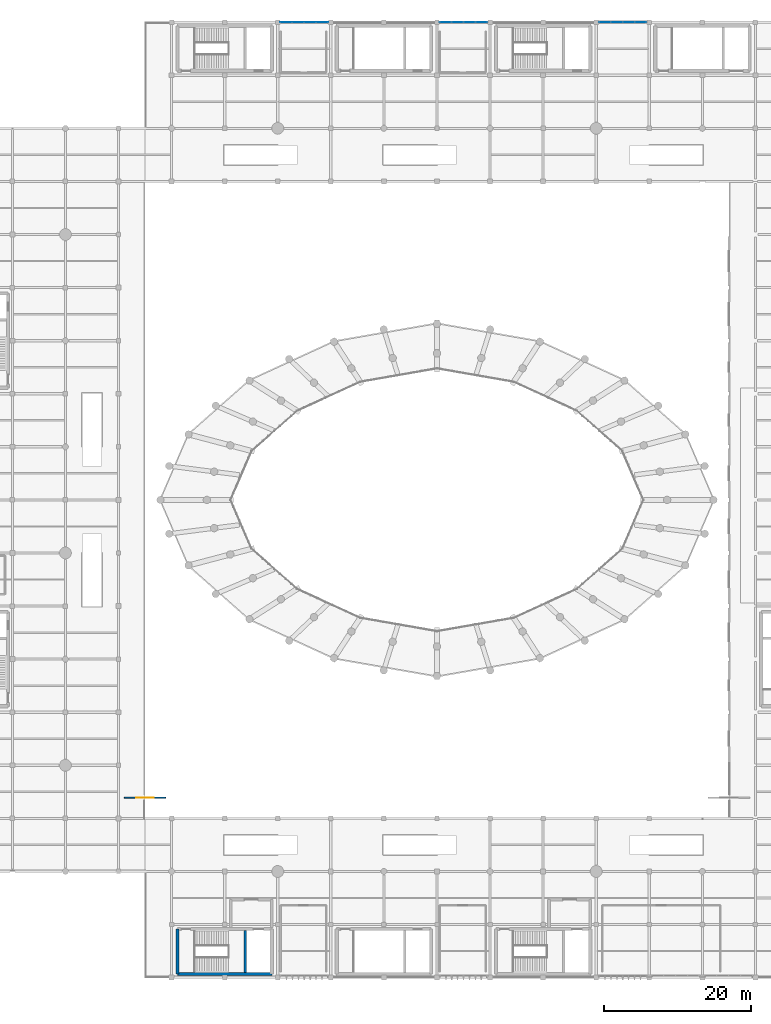
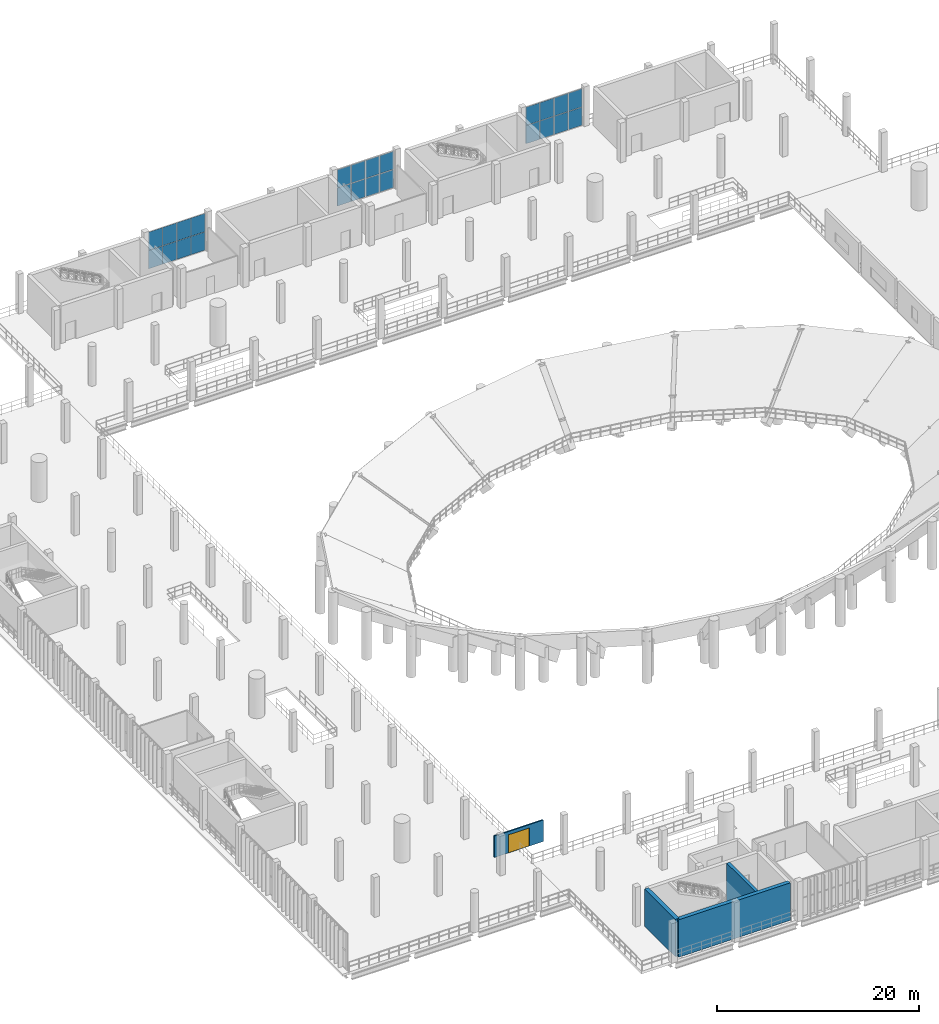
# One storey, part 82 of 105: 24 plates, 4 walls, 1 door, 1 opening, 3 elements without a shape of their own.
"""IFC4 building model written with IfcOpenShell, lengths in metres."""

import ifcopenshell
import ifcopenshell.guid

model = None  # the IFC model being written
_history = None  # IfcOwnerHistory: only IFC2X3 demands one
_inside = {}  # id of a spatial element -> (the spatial element, [elements in it])
_under = {}  # id of a project, library or spatial element -> (it, [spatial elements below it])
_declared = {}  # id of a project -> (the project, [libraries it declares])
_typed = {}  # id of a type object -> (the type object, [elements of that type])
_made_of = {}  # id of a material, layer set ... -> (it, [elements and type objects made of it])


def new_model(schema):
    """Start an empty IFC model of exactly this schema.

    Asked for "IFC4X3", IfcOpenShell would pick the latest addendum, in which some entities
    have other attributes; the version numbers below select the first issue.
    IFC2X3 requires an IfcOwnerHistory on every rooted entity: one is made here for all.
    """
    global model, _history
    if schema == "IFC4X3":
        model = ifcopenshell.file(schema_version=(4, 3, 0, 0))
    else:
        model = ifcopenshell.file(schema=schema)
    _inside.clear()
    _under.clear()
    _declared.clear()
    _typed.clear()
    _made_of.clear()
    _history = None
    if model.schema == "IFC2X3":
        org = make("IfcOrganization", Name="unknown")
        user = make(
            "IfcPersonAndOrganization",
            ThePerson=make("IfcPerson", FamilyName="unknown"),
            TheOrganization=org,
        )
        app = make(
            "IfcApplication",
            ApplicationDeveloper=org,
            Version="unknown",
            ApplicationFullName="unknown",
            ApplicationIdentifier="unknown",
        )
        _history = make(
            "IfcOwnerHistory",
            OwningUser=user,
            OwningApplication=app,
            ChangeAction="ADDED",
            CreationDate=0,
        )
    return model


def make(cls, **values):
    """One entity of the class cls with the attributes given. An attribute that is None is left unset."""
    return model.create_entity(
        cls, **{name: value for name, value in values.items() if value is not None}
    )


def rooted(cls, **values):
    """An entity with a GlobalId (a new one), such as an element, a storey or a relation."""
    return make(cls, GlobalId=ifcopenshell.guid.new(), OwnerHistory=_history, **values)


def si_unit(unit_type, name, prefix=None):
    """IfcSIUnit, for example si_unit("LENGTHUNIT", "METRE", prefix="MILLI")."""
    return make("IfcSIUnit", UnitType=unit_type, Prefix=prefix, Name=name)


def assignment(units):
    """IfcUnitAssignment: the units of a project."""
    return None if units is None else make("IfcUnitAssignment", Units=units)


def point(xyz):
    """IfcCartesianPoint."""
    return None if xyz is None else make("IfcCartesianPoint", Coordinates=xyz)


def direction(xyz):
    """IfcDirection."""
    return None if xyz is None else make("IfcDirection", DirectionRatios=xyz)


def frame(location, z_axis=None, x_axis=None):
    """IfcAxis2Placement3D, a coordinate frame: its origin and axes. An axis left out is left unset."""
    return make(
        "IfcAxis2Placement3D",
        Location=point(location),
        Axis=direction(z_axis),
        RefDirection=direction(x_axis),
    )


def frame_2d(location, x_axis=None):
    """IfcAxis2Placement2D, a coordinate frame in the plane: its origin and x axis."""
    return make(
        "IfcAxis2Placement2D", Location=point(location), RefDirection=direction(x_axis)
    )


def origin():
    """The frame at (0, 0, 0) with its axes left unset."""
    return frame((0.0, 0.0, 0.0))


def origin_2d():
    """The frame at (0, 0) in the plane with its x axis left unset."""
    return frame_2d((0.0, 0.0))


def place(relative_to, where):
    """IfcLocalPlacement: puts the frame where relative to a parent placement (None: the world)."""
    return make(
        "IfcLocalPlacement", PlacementRelTo=relative_to, RelativePlacement=where
    )


def context(
    kind, dimensions, precision=None, world=None, true_north=None, identifier=None
):
    """IfcGeometricRepresentationContext, for example the 3D "Model" context."""
    return make(
        "IfcGeometricRepresentationContext",
        ContextIdentifier=identifier,
        ContextType=kind,
        CoordinateSpaceDimension=dimensions,
        Precision=precision,
        WorldCoordinateSystem=world,
        TrueNorth=true_north,
    )


def subcontext(parent, identifier, kind, view, scale=None):
    """IfcGeometricRepresentationSubContext, for example "Body" below "Model"."""
    return make(
        "IfcGeometricRepresentationSubContext",
        ContextIdentifier=identifier,
        ContextType=kind,
        ParentContext=parent,
        TargetScale=scale,
        TargetView=view,
    )


def project(units=None, contexts=None):
    """IfcProject with its units and contexts."""
    return rooted(
        "IfcProject",
        Name="project",
        RepresentationContexts=contexts,
        UnitsInContext=assignment(units),
    )


def spatial(cls, under=None, at=None, **own):
    """A site, building, storey or space (cls), placed at a placement, below another one or the project."""
    s = rooted(cls, ObjectPlacement=at, **own)
    if under is not None:
        _under.setdefault(under.id(), (under, []))[1].append(s)
    return s


def profile(cls, at=None, kind="AREA", **sizes):
    """A parametric profile (cls). Its sizes go by their IFC names, for example OverallWidth=200.0."""
    return make(cls, ProfileType=kind, Position=at, **sizes)


def rectangle(**sizes):
    """IfcRectangleProfileDef."""
    return profile("IfcRectangleProfileDef", **sizes)


def extrude(swept, where, along, depth):
    """IfcExtrudedAreaSolid: the profile swept, set in the frame where, extruded along a direction by depth."""
    return make(
        "IfcExtrudedAreaSolid",
        SweptArea=swept,
        Position=where,
        ExtrudedDirection=direction(along),
        Depth=depth,
    )


def shape(context_of_items, identifier, shape_type, items):
    """IfcShapeRepresentation: the items that make up one representation, for example the "Body"."""
    return make(
        "IfcShapeRepresentation",
        ContextOfItems=context_of_items,
        RepresentationIdentifier=identifier,
        RepresentationType=shape_type,
        Items=items,
    )


def material(Name=None, Category=None):
    """IfcMaterial."""
    return make("IfcMaterial", Name=Name, Category=Category)


def layer(
    of_material, thickness, ventilated=None, Name=None, Category=None, Priority=None
):
    """IfcMaterialLayer: one layer of a wall or slab, of a material (None: an air gap)."""
    return make(
        "IfcMaterialLayer",
        Material=of_material,
        LayerThickness=thickness,
        IsVentilated=ventilated,
        Name=Name,
        Category=Category,
        Priority=Priority,
    )


def layer_set(layers, Name=None):
    """IfcMaterialLayerSet."""
    return make("IfcMaterialLayerSet", MaterialLayers=layers, LayerSetName=Name)


def made_of(thing, what):
    """Note that an element or type object is made of a material, layer set ...; save() writes the relation."""
    if what is not None:
        _made_of.setdefault(what.id(), (what, []))[1].append(thing)
    return thing


def type_object(cls, material=None, **own):
    """A type object (cls), such as IfcWallType, which elements share."""
    return made_of(rooted(cls, **own), material)


def element(
    cls,
    number,
    at=None,
    inside=None,
    cuts=None,
    type_object=None,
    material=None,
    context=None,
    identifier="Body",
    shape_type=None,
    held_by="IfcProductDefinitionShape",
    body=None,
    shapes=None,
    **own,
):
    """One element of the class cls, such as IfcWall. Its Tag is "e" and its number.

    at: its placement. inside: the storey or other place that contains it. cuts: it is an
    opening in that element (IfcRelVoidsElement). A single representation is given by context,
    identifier, shape_type and body (its items); several are given by shapes. held_by: the class
    of the entity that holds the representations. save() writes the other relations.
    """
    e = rooted(cls, Tag="e%d" % number, ObjectPlacement=at, **own)
    if body is not None:
        shapes = [shape(context, identifier, shape_type, body)]
    if shapes is not None:
        e.Representation = make(held_by, Representations=shapes)
    if inside is not None:
        _inside.setdefault(inside.id(), (inside, []))[1].append(e)
    if cuts is not None:
        rooted(
            "IfcRelVoidsElement", RelatingBuildingElement=cuts, RelatedOpeningElement=e
        )
    if type_object is not None:
        _typed.setdefault(type_object.id(), (type_object, []))[1].append(e)
    return made_of(e, material)


def fill(opening, filler):
    """IfcRelFillsElement: the door or window that sits in an opening."""
    return rooted(
        "IfcRelFillsElement",
        RelatingOpeningElement=opening,
        RelatedBuildingElement=filler,
    )


def aggregate(whole, parts):
    """IfcRelAggregates: a whole, such as a stair, and the parts it consists of."""
    return rooted("IfcRelAggregates", RelatingObject=whole, RelatedObjects=parts)


def save(model, path):
    """Write the relations noted so far, then the file.

    IfcRelAggregates (storeys below a building ...), IfcRelContainedInSpatialStructure (elements
    in a storey), IfcRelDefinesByType, IfcRelAssociatesMaterial and IfcRelDeclares: one each for
    every whole, place, type object, material and project.
    """
    for whole, parts in _under.values():
        aggregate(whole, parts)
    for where, things in _inside.values():
        rooted(
            "IfcRelContainedInSpatialStructure",
            RelatedElements=things,
            RelatingStructure=where,
        )
    for kind, things in _typed.values():
        rooted("IfcRelDefinesByType", RelatedObjects=things, RelatingType=kind)
    for what, things in _made_of.values():
        rooted("IfcRelAssociatesMaterial", RelatedObjects=things, RelatingMaterial=what)
    for by, libraries in _declared.values():
        rooted("IfcRelDeclares", RelatingContext=by, RelatedDefinitions=libraries)
    model.write(path)


model = new_model("IFC4")

# Units and contexts
model_context = context("Model", 3, precision=1e-05, world=origin(), true_north=direction((0.0, 1.0)))
body_context = subcontext(model_context, "Body", "Model", "MODEL_VIEW")
ifc_project = project(units=[si_unit("LENGTHUNIT", "METRE"), si_unit("AREAUNIT", "SQUARE_METRE"), si_unit("VOLUMEUNIT", "CUBIC_METRE"), si_unit("PLANEANGLEUNIT", "RADIAN"), si_unit("MASSUNIT", "GRAM", prefix="KILO")], contexts=[model_context])

# Site, building, storey
site_placement = place(None, origin())
site = spatial("IfcSite", under=ifc_project, at=site_placement, CompositionType="ELEMENT")
building_placement = place(site_placement, origin())
building = spatial("IfcBuilding", under=site, at=building_placement, Name="Qandorah Velis Arena", CompositionType="ELEMENT")
storey_placement = place(building_placement, frame((0.0, 0.0, 13.800048828125)))
storey = spatial("IfcBuildingStorey", under=building, at=storey_placement, Name="L03", CompositionType="ELEMENT", Elevation=13.800048828125)

# Curtain wall, plates
ifc_material_1 = material(Name="Solar-control low-E double glazing", Category="glass")
curtain_wall_type_1 = type_object("IfcCurtainWallType", Name="ARC-CW-SYS17", PredefinedType="USERDEFINED", material=ifc_material_1)
curtain_wall_1_placement = place(storey_placement, origin())
curtain_wall_1 = element("IfcCurtainWall", 1, at=curtain_wall_1_placement, inside=storey, type_object=curtain_wall_type_1, Name="Unitised curtain wall L03-089", ObjectType="UNITISED CURTAIN WALL", PredefinedType="USERDEFINED")
ifc_layer_1 = layer(ifc_material_1, 0.02392578125)
ifc_layer_set_1 = layer_set([ifc_layer_1], Name="Solar-control low-E double glazing")
plate_type_1 = type_object("IfcPlateType", Name="ARC-CWP-GLZ24", PredefinedType="CURTAIN_PANEL", material=ifc_layer_set_1)
plate_1_placement = place(storey_placement, frame((65.96240234375, 129.60009765625, 0.06494140625), z_axis=(0.0, 0.0, 1.0), x_axis=(1.0, 0.0, 0.0)))
plate_1 = element("IfcPlate", 2, at=plate_1_placement, type_object=plate_type_1, Name="CW17 panel 1.1", PredefinedType="CURTAIN_PANEL", context=body_context, shape_type="SweptSolid", body=[
    extrude(rectangle(XDim=1.544921875, YDim=0.02392578125, at=origin_2d()), origin(), (0.0, 0.0, 1.0), 2.172607421875),
])
plate_2_placement = place(storey_placement, frame((65.96240234375, 129.60009765625, 2.29248046875), z_axis=(0.0, 0.0, 1.0), x_axis=(1.0, 0.0, 0.0)))
plate_2 = element("IfcPlate", 3, at=plate_2_placement, type_object=plate_type_1, Name="CW17 panel 1.2", PredefinedType="CURTAIN_PANEL", context=body_context, shape_type="SweptSolid", body=[
    extrude(rectangle(XDim=1.544921875, YDim=0.02392578125, at=origin_2d()), origin(), (0.0, 0.0, 1.0), 2.172607421875),
])
plate_3_placement = place(storey_placement, frame((67.581298828125, 129.60009765625, 0.06494140625), z_axis=(0.0, 0.0, 1.0), x_axis=(1.0, 0.0, 0.0)))
plate_3 = element("IfcPlate", 4, at=plate_3_placement, type_object=plate_type_1, Name="CW17 panel 2.1", PredefinedType="CURTAIN_PANEL", context=body_context, shape_type="SweptSolid", body=[
    extrude(rectangle(XDim=1.58251953125, YDim=0.02392578125, at=origin_2d()), origin(), (0.0, 0.0, 1.0), 2.172607421875),
])
plate_4_placement = place(storey_placement, frame((67.581298828125, 129.60009765625, 2.29248046875), z_axis=(0.0, 0.0, 1.0), x_axis=(1.0, 0.0, 0.0)))
plate_4 = element("IfcPlate", 5, at=plate_4_placement, type_object=plate_type_1, Name="CW17 panel 2.2", PredefinedType="CURTAIN_PANEL", context=body_context, shape_type="SweptSolid", body=[
    extrude(rectangle(XDim=1.58251953125, YDim=0.02392578125, at=origin_2d()), origin(), (0.0, 0.0, 1.0), 2.172607421875),
])
plate_5_placement = place(storey_placement, frame((69.21875, 129.60009765625, 0.06494140625), z_axis=(0.0, 0.0, 1.0), x_axis=(1.0, 0.0, 0.0)))
plate_5 = element("IfcPlate", 6, at=plate_5_placement, type_object=plate_type_1, Name="CW17 panel 3.1", PredefinedType="CURTAIN_PANEL", context=body_context, shape_type="SweptSolid", body=[
    extrude(rectangle(XDim=1.58251953125, YDim=0.02392578125, at=origin_2d()), origin(), (0.0, 0.0, 1.0), 2.172607421875),
])
plate_6_placement = place(storey_placement, frame((69.21875, 129.60009765625, 2.29248046875), z_axis=(0.0, 0.0, 1.0), x_axis=(1.0, 0.0, 0.0)))
plate_6 = element("IfcPlate", 7, at=plate_6_placement, type_object=plate_type_1, Name="CW17 panel 3.2", PredefinedType="CURTAIN_PANEL", context=body_context, shape_type="SweptSolid", body=[
    extrude(rectangle(XDim=1.58251953125, YDim=0.02392578125, at=origin_2d()), origin(), (0.0, 0.0, 1.0), 2.172607421875),
])
plate_7_placement = place(storey_placement, frame((70.83740234375, 129.60009765625, 0.06494140625), z_axis=(0.0, 0.0, 1.0), x_axis=(1.0, 0.0, 0.0)))
plate_7 = element("IfcPlate", 8, at=plate_7_placement, type_object=plate_type_1, Name="CW17 panel 4.1", PredefinedType="CURTAIN_PANEL", context=body_context, shape_type="SweptSolid", body=[
    extrude(rectangle(XDim=1.544921875, YDim=0.02392578125, at=origin_2d()), origin(), (0.0, 0.0, 1.0), 2.172607421875),
])
plate_8_placement = place(storey_placement, frame((70.83740234375, 129.60009765625, 2.29248046875), z_axis=(0.0, 0.0, 1.0), x_axis=(1.0, 0.0, 0.0)))
plate_8 = element("IfcPlate", 9, at=plate_8_placement, type_object=plate_type_1, Name="CW17 panel 4.2", PredefinedType="CURTAIN_PANEL", context=body_context, shape_type="SweptSolid", body=[
    extrude(rectangle(XDim=1.544921875, YDim=0.02392578125, at=origin_2d()), origin(), (0.0, 0.0, 1.0), 2.172607421875),
])
aggregate(curtain_wall_1, [plate_1, plate_2, plate_3, plate_4, plate_5, plate_6, plate_7, plate_8])

curtain_wall_type_2 = type_object("IfcCurtainWallType", Name="ARC-CW-SYS16", PredefinedType="USERDEFINED", material=ifc_material_1)
curtain_wall_2_placement = place(storey_placement, origin())
curtain_wall_2 = element("IfcCurtainWall", 10, at=curtain_wall_2_placement, inside=storey, type_object=curtain_wall_type_2, Name="Unitised curtain wall L03-088", ObjectType="UNITISED CURTAIN WALL", PredefinedType="USERDEFINED")
ifc_layer_2 = layer(ifc_material_1, 0.028076171875)
ifc_layer_set_2 = layer_set([ifc_layer_2], Name="Solar-control low-E double glazing")
plate_type_2 = type_object("IfcPlateType", Name="ARC-CWP-GLZ28", PredefinedType="CURTAIN_PANEL", material=ifc_layer_set_2)
plate_9_placement = place(storey_placement, frame((44.357421875, 129.60009765625, 0.044921875), z_axis=(0.0, 0.0, 1.0), x_axis=(1.0, 0.0, 0.0)))
plate_9 = element("IfcPlate", 11, at=plate_9_placement, type_object=plate_type_2, Name="CW16 panel 1.1", PredefinedType="CURTAIN_PANEL", context=body_context, shape_type="SweptSolid", body=[
    extrude(rectangle(XDim=1.574951171875, YDim=0.028076171875, at=origin_2d()), origin(), (0.0, 0.0, 1.0), 2.202392578125),
])
plate_10_placement = place(storey_placement, frame((44.357421875, 129.60009765625, 2.28271484375), z_axis=(0.0, 0.0, 1.0), x_axis=(1.0, 0.0, 0.0)))
plate_10 = element("IfcPlate", 12, at=plate_10_placement, type_object=plate_type_2, Name="CW16 panel 1.2", PredefinedType="CURTAIN_PANEL", context=body_context, shape_type="SweptSolid", body=[
    extrude(rectangle(XDim=1.574951171875, YDim=0.028076171875, at=origin_2d()), origin(), (0.0, 0.0, 1.0), 2.202392578125),
])
plate_11_placement = place(storey_placement, frame((45.981201171875, 129.60009765625, 0.044921875), z_axis=(0.0, 0.0, 1.0), x_axis=(1.0, 0.0, 0.0)))
plate_11 = element("IfcPlate", 13, at=plate_11_placement, type_object=plate_type_2, Name="CW16 panel 2.1", PredefinedType="CURTAIN_PANEL", context=body_context, shape_type="SweptSolid", body=[
    extrude(rectangle(XDim=1.6025390625, YDim=0.028076171875, at=origin_2d()), origin(), (0.0, 0.0, 1.0), 2.202392578125),
])
plate_12_placement = place(storey_placement, frame((45.981201171875, 129.60009765625, 2.28271484375), z_axis=(0.0, 0.0, 1.0), x_axis=(1.0, 0.0, 0.0)))
plate_12 = element("IfcPlate", 14, at=plate_12_placement, type_object=plate_type_2, Name="CW16 panel 2.2", PredefinedType="CURTAIN_PANEL", context=body_context, shape_type="SweptSolid", body=[
    extrude(rectangle(XDim=1.6025390625, YDim=0.028076171875, at=origin_2d()), origin(), (0.0, 0.0, 1.0), 2.202392578125),
])
plate_13_placement = place(storey_placement, frame((47.61865234375, 129.60009765625, 0.044921875), z_axis=(0.0, 0.0, 1.0), x_axis=(1.0, 0.0, 0.0)))
plate_13 = element("IfcPlate", 15, at=plate_13_placement, type_object=plate_type_2, Name="CW16 panel 3.1", PredefinedType="CURTAIN_PANEL", context=body_context, shape_type="SweptSolid", body=[
    extrude(rectangle(XDim=1.6025390625, YDim=0.028076171875, at=origin_2d()), origin(), (0.0, 0.0, 1.0), 2.202392578125),
])
plate_14_placement = place(storey_placement, frame((47.61865234375, 129.60009765625, 2.28271484375), z_axis=(0.0, 0.0, 1.0), x_axis=(1.0, 0.0, 0.0)))
plate_14 = element("IfcPlate", 16, at=plate_14_placement, type_object=plate_type_2, Name="CW16 panel 3.2", PredefinedType="CURTAIN_PANEL", context=body_context, shape_type="SweptSolid", body=[
    extrude(rectangle(XDim=1.6025390625, YDim=0.028076171875, at=origin_2d()), origin(), (0.0, 0.0, 1.0), 2.202392578125),
])
plate_15_placement = place(storey_placement, frame((49.242431640625, 129.60009765625, 0.044921875), z_axis=(0.0, 0.0, 1.0), x_axis=(1.0, 0.0, 0.0)))
plate_15 = element("IfcPlate", 17, at=plate_15_placement, type_object=plate_type_2, Name="CW16 panel 4.1", PredefinedType="CURTAIN_PANEL", context=body_context, shape_type="SweptSolid", body=[
    extrude(rectangle(XDim=1.574951171875, YDim=0.028076171875, at=origin_2d()), origin(), (0.0, 0.0, 1.0), 2.202392578125),
])
plate_16_placement = place(storey_placement, frame((49.242431640625, 129.60009765625, 2.28271484375), z_axis=(0.0, 0.0, 1.0), x_axis=(1.0, 0.0, 0.0)))
plate_16 = element("IfcPlate", 18, at=plate_16_placement, type_object=plate_type_2, Name="CW16 panel 4.2", PredefinedType="CURTAIN_PANEL", context=body_context, shape_type="SweptSolid", body=[
    extrude(rectangle(XDim=1.574951171875, YDim=0.028076171875, at=origin_2d()), origin(), (0.0, 0.0, 1.0), 2.202392578125),
])
aggregate(curtain_wall_2, [plate_9, plate_10, plate_11, plate_12, plate_13, plate_14, plate_15, plate_16])

curtain_wall_type_3 = type_object("IfcCurtainWallType", Name="ARC-CW-SYS18", PredefinedType="USERDEFINED", material=ifc_material_1)
curtain_wall_3_placement = place(storey_placement, origin())
curtain_wall_3 = element("IfcCurtainWall", 19, at=curtain_wall_3_placement, inside=storey, type_object=curtain_wall_type_3, Name="Unitised curtain wall L03-090", ObjectType="UNITISED CURTAIN WALL", PredefinedType="USERDEFINED")
ifc_layer_3 = layer(ifc_material_1, 0.0439453125)
ifc_layer_set_3 = layer_set([ifc_layer_3], Name="Solar-control low-E double glazing")
plate_type_3 = type_object("IfcPlateType", Name="ARC-CWP-SPN44", PredefinedType="CURTAIN_PANEL", material=ifc_layer_set_3)
plate_17_placement = place(storey_placement, frame((87.56005859375, 129.60009765625, 0.054931640625), z_axis=(0.0, 0.0, 1.0), x_axis=(1.0, 0.0, 0.0)))
plate_17 = element("IfcPlate", 20, at=plate_17_placement, type_object=plate_type_3, Name="CW18 panel 1.1", PredefinedType="CURTAIN_PANEL", context=body_context, shape_type="SweptSolid", body=[
    extrude(rectangle(XDim=1.56005859375, YDim=0.0439453125, at=origin_2d()), origin(), (0.0, 0.0, 1.0), 2.1875),
])
plate_18_placement = place(storey_placement, frame((87.56005859375, 129.60009765625, 2.287353515625), z_axis=(0.0, 0.0, 1.0), x_axis=(1.0, 0.0, 0.0)))
plate_18 = element("IfcPlate", 21, at=plate_18_placement, type_object=plate_type_3, Name="CW18 panel 1.2", PredefinedType="CURTAIN_PANEL", context=body_context, shape_type="SweptSolid", body=[
    extrude(rectangle(XDim=1.56005859375, YDim=0.0439453125, at=origin_2d()), origin(), (0.0, 0.0, 1.0), 2.1875),
])
plate_19_placement = place(storey_placement, frame((89.18115234375, 129.60009765625, 0.054931640625), z_axis=(0.0, 0.0, 1.0), x_axis=(1.0, 0.0, 0.0)))
plate_19 = element("IfcPlate", 22, at=plate_19_placement, type_object=plate_type_3, Name="CW18 panel 2.1", PredefinedType="CURTAIN_PANEL", context=body_context, shape_type="SweptSolid", body=[
    extrude(rectangle(XDim=1.592529296875, YDim=0.0439453125, at=origin_2d()), origin(), (0.0, 0.0, 1.0), 2.1875),
])
plate_20_placement = place(storey_placement, frame((89.18115234375, 129.60009765625, 2.287353515625), z_axis=(0.0, 0.0, 1.0), x_axis=(1.0, 0.0, 0.0)))
plate_20 = element("IfcPlate", 23, at=plate_20_placement, type_object=plate_type_3, Name="CW18 panel 2.2", PredefinedType="CURTAIN_PANEL", context=body_context, shape_type="SweptSolid", body=[
    extrude(rectangle(XDim=1.592529296875, YDim=0.0439453125, at=origin_2d()), origin(), (0.0, 0.0, 1.0), 2.1875),
])
plate_21_placement = place(storey_placement, frame((90.81884765625, 129.60009765625, 0.054931640625), z_axis=(0.0, 0.0, 1.0), x_axis=(1.0, 0.0, 0.0)))
plate_21 = element("IfcPlate", 24, at=plate_21_placement, type_object=plate_type_3, Name="CW18 panel 3.1", PredefinedType="CURTAIN_PANEL", context=body_context, shape_type="SweptSolid", body=[
    extrude(rectangle(XDim=1.592529296875, YDim=0.0439453125, at=origin_2d()), origin(), (0.0, 0.0, 1.0), 2.1875),
])
plate_22_placement = place(storey_placement, frame((90.81884765625, 129.60009765625, 2.287353515625), z_axis=(0.0, 0.0, 1.0), x_axis=(1.0, 0.0, 0.0)))
plate_22 = element("IfcPlate", 25, at=plate_22_placement, type_object=plate_type_3, Name="CW18 panel 3.2", PredefinedType="CURTAIN_PANEL", context=body_context, shape_type="SweptSolid", body=[
    extrude(rectangle(XDim=1.592529296875, YDim=0.0439453125, at=origin_2d()), origin(), (0.0, 0.0, 1.0), 2.1875),
])
plate_23_placement = place(storey_placement, frame((92.43994140625, 129.60009765625, 0.054931640625), z_axis=(0.0, 0.0, 1.0), x_axis=(1.0, 0.0, 0.0)))
plate_23 = element("IfcPlate", 26, at=plate_23_placement, type_object=plate_type_3, Name="CW18 panel 4.1", PredefinedType="CURTAIN_PANEL", context=body_context, shape_type="SweptSolid", body=[
    extrude(rectangle(XDim=1.56005859375, YDim=0.0439453125, at=origin_2d()), origin(), (0.0, 0.0, 1.0), 2.1875),
])
plate_24_placement = place(storey_placement, frame((92.43994140625, 129.60009765625, 2.287353515625), z_axis=(0.0, 0.0, 1.0), x_axis=(1.0, 0.0, 0.0)))
plate_24 = element("IfcPlate", 27, at=plate_24_placement, type_object=plate_type_3, Name="CW18 panel 4.2", PredefinedType="CURTAIN_PANEL", context=body_context, shape_type="SweptSolid", body=[
    extrude(rectangle(XDim=1.56005859375, YDim=0.0439453125, at=origin_2d()), origin(), (0.0, 0.0, 1.0), 2.1875),
])
aggregate(curtain_wall_3, [plate_17, plate_18, plate_19, plate_20, plate_21, plate_22, plate_23, plate_24])

# Wall, opening, door
ifc_material_2 = material(Name="Concrete C35/45", Category="concrete")
ifc_layer_4 = layer(ifc_material_2, 0.14990234375)
ifc_layer_set_4 = layer_set([ifc_layer_4], Name="Concrete C35/45")
wall_type_1 = type_object("IfcWallType", Name="ARC-WAL-PART150", PredefinedType="PARTITIONING", material=ifc_layer_set_4)
wall_1_placement = place(storey_placement, frame((22.39990234375, 24.39990234375, 0.0), z_axis=(0.0, 0.0, 1.0), x_axis=(1.0, 0.0, 0.0)))
wall_1 = element("IfcWall", 28, at=wall_1_placement, inside=storey, type_object=wall_type_1, Name="Concourse control screen wall 05", PredefinedType="PARTITIONING", context=body_context, shape_type="SweptSolid", body=[
    extrude(rectangle(XDim=5.60009765625, YDim=0.14990234375, at=frame_2d((2.800048828125, 0.0))), origin(), (0.0, 0.0, 1.0), 2.599853515625),
])
opening_placement = place(wall_1_placement, frame((1.60009765625, 0.0, 0.0)))
opening = element("IfcOpeningElement", 29, at=opening_placement, cuts=wall_1, Name="Opening GT1", PredefinedType="OPENING", context=body_context, shape_type="SweptSolid", body=[
    extrude(rectangle(XDim=2.39990234375, YDim=2.199951171875, at=frame_2d((1.199951171875, 1.10009765625))), frame((0.0, 0.0849609375, 0.0), z_axis=(0.0, -1.0, 0.0), x_axis=(1.0, 0.0, 0.0)), (0.0, 0.0, 1.0), 0.169921875),
])
ifc_material_3 = material(Name="Galvanized steel concourse vomitory gate", Category="steel")
door_type = type_object("IfcDoorType", Name="ARC-DR-GAT2400", OperationType="NOTDEFINED", PredefinedType="GATE", material=ifc_material_3)
door_placement = place(opening_placement, frame((2.39990234375, 0.0, 0.0), z_axis=(0.0, 0.0, 1.0), x_axis=(-1.0, 0.0, 0.0)))
door = element("IfcDoor", 30, at=door_placement, inside=storey, type_object=door_type, Name="Concourse vomitory gate GT5", OperationType="DOUBLE_DOOR_SINGLE_SWING", OverallHeight=2.199951171875, OverallWidth=2.39990234375, PredefinedType="GATE", context=body_context, shape_type="SweptSolid", body=[
    extrude(rectangle(XDim=2.39990234375, YDim=2.199951171875, at=frame_2d((1.199951171875, 1.10009765625))), frame((0.0, 0.02490234375, 0.0), z_axis=(0.0, -1.0, 0.0), x_axis=(1.0, 0.0, 0.0)), (0.0, 0.0, 1.0), 0.050048828125),
])
fill(opening, door)

# Walls
ifc_material_4 = material(Name="Concrete C40/50", Category="concrete")
ifc_layer_5 = layer(ifc_material_4, 0.449951171875)
ifc_layer_set_5 = layer_set([ifc_layer_5], Name="Concrete C40/50")
wall_type_2 = type_object("IfcWallType", Name="STR-WAL-CORE450", PredefinedType="SHEAR", material=ifc_layer_set_5)
wall_2_placement = place(storey_placement, frame((29.60009765625, 0.5, 0.0), z_axis=(0.0, 0.0, 1.0), x_axis=(1.0, 0.0, 0.0)))
element("IfcWall", 31, at=wall_2_placement, inside=storey, type_object=wall_type_2, Name="Core CORE-01 shear wall S (L03)", PredefinedType="SHEAR", context=body_context, shape_type="SweptSolid", body=[
    extrude(rectangle(XDim=12.7998046875, YDim=0.449951171875, at=frame_2d((6.39990234375, 0.0))), origin(), (0.0, 0.0, 1.0), 4.530029296875),
])
wall_3_placement = place(storey_placement, frame((29.60009765625, 0.5, 0.0), z_axis=(0.0, 0.0, 1.0), x_axis=(0.0, 1.0, 0.0)))
element("IfcWall", 32, at=wall_3_placement, inside=storey, type_object=wall_type_2, Name="Core CORE-01 shear wall W (L03)", PredefinedType="SHEAR", context=body_context, shape_type="SweptSolid", body=[
    extrude(rectangle(XDim=6.10009765625, YDim=0.449951171875, at=frame_2d((3.050048828125, 0.0))), origin(), (0.0, 0.0, 1.0), 4.530029296875),
])
ifc_layer_6 = layer(ifc_material_4, 0.35009765625)
ifc_layer_set_6 = layer_set([ifc_layer_6], Name="Concrete C40/50")
wall_type_3 = type_object("IfcWallType", Name="STR-WAL-SH350", PredefinedType="SHEAR", material=ifc_layer_set_6)
wall_4_placement = place(storey_placement, frame((38.81591796875, 0.72509765625, 0.0), z_axis=(0.0, 0.0, 1.0), x_axis=(0.0, 1.0, 0.0)))
element("IfcWall", 33, at=wall_4_placement, inside=storey, type_object=wall_type_3, Name="Core CORE-01 shaft divider shear wall (L03)", PredefinedType="SHEAR", context=body_context, shape_type="SweptSolid", body=[
    extrude(rectangle(XDim=5.64990234375, YDim=0.35009765625, at=frame_2d((2.824951171875, 0.0))), origin(), (0.0, 0.0, 1.0), 4.530029296875),
])

save(model, "model.ifc")
